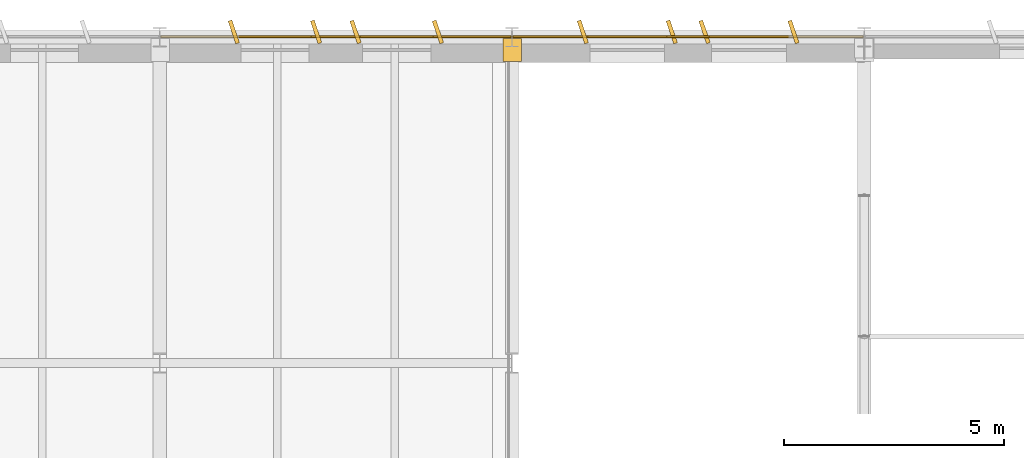
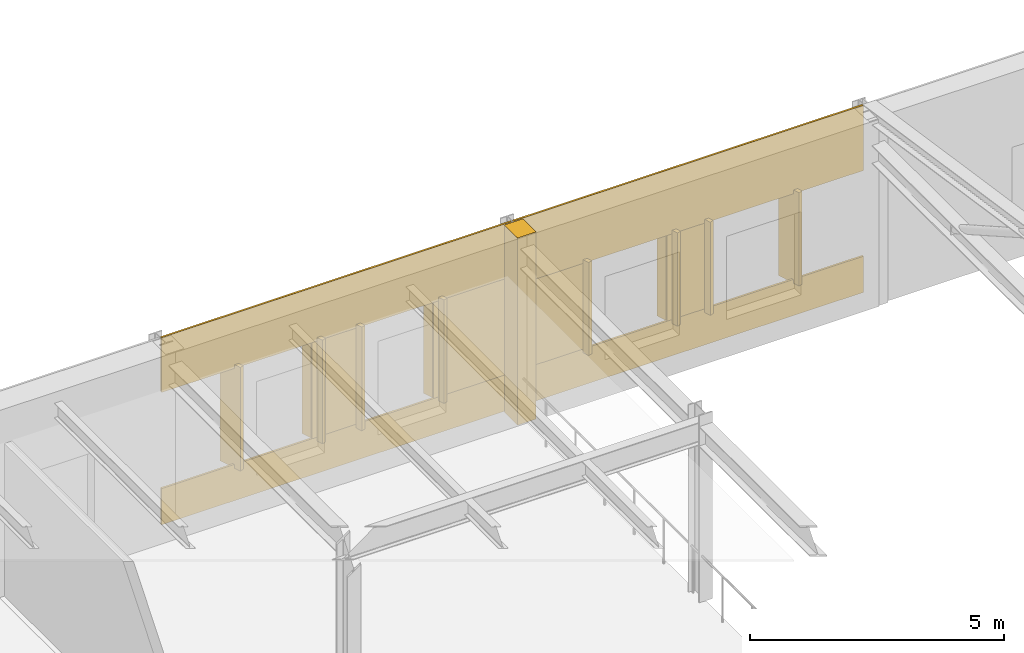
# One storey, part 70 of 75: 17 coverings.
"""IFC4 building model written with IfcOpenShell, lengths in metres."""

import ifcopenshell
import ifcopenshell.guid

model = None  # the IFC model being written
_history = None  # IfcOwnerHistory: only IFC2X3 demands one
_inside = {}  # id of a spatial element -> (the spatial element, [elements in it])
_under = {}  # id of a project, library or spatial element -> (it, [spatial elements below it])
_declared = {}  # id of a project -> (the project, [libraries it declares])
_typed = {}  # id of a type object -> (the type object, [elements of that type])
_made_of = {}  # id of a material, layer set ... -> (it, [elements and type objects made of it])


def new_model(schema):
    """Start an empty IFC model of exactly this schema.

    Asked for "IFC4X3", IfcOpenShell would pick the latest addendum, in which some entities
    have other attributes; the version numbers below select the first issue.
    IFC2X3 requires an IfcOwnerHistory on every rooted entity: one is made here for all.
    """
    global model, _history
    if schema == "IFC4X3":
        model = ifcopenshell.file(schema_version=(4, 3, 0, 0))
    else:
        model = ifcopenshell.file(schema=schema)
    _inside.clear()
    _under.clear()
    _declared.clear()
    _typed.clear()
    _made_of.clear()
    _history = None
    if model.schema == "IFC2X3":
        org = make("IfcOrganization", Name="unknown")
        user = make(
            "IfcPersonAndOrganization",
            ThePerson=make("IfcPerson", FamilyName="unknown"),
            TheOrganization=org,
        )
        app = make(
            "IfcApplication",
            ApplicationDeveloper=org,
            Version="unknown",
            ApplicationFullName="unknown",
            ApplicationIdentifier="unknown",
        )
        _history = make(
            "IfcOwnerHistory",
            OwningUser=user,
            OwningApplication=app,
            ChangeAction="ADDED",
            CreationDate=0,
        )
    return model


def make(cls, **values):
    """One entity of the class cls with the attributes given. An attribute that is None is left unset."""
    return model.create_entity(
        cls, **{name: value for name, value in values.items() if value is not None}
    )


def rooted(cls, **values):
    """An entity with a GlobalId (a new one), such as an element, a storey or a relation."""
    return make(cls, GlobalId=ifcopenshell.guid.new(), OwnerHistory=_history, **values)


def si_unit(unit_type, name, prefix=None):
    """IfcSIUnit, for example si_unit("LENGTHUNIT", "METRE", prefix="MILLI")."""
    return make("IfcSIUnit", UnitType=unit_type, Prefix=prefix, Name=name)


def assignment(units):
    """IfcUnitAssignment: the units of a project."""
    return None if units is None else make("IfcUnitAssignment", Units=units)


def point(xyz):
    """IfcCartesianPoint."""
    return None if xyz is None else make("IfcCartesianPoint", Coordinates=xyz)


def direction(xyz):
    """IfcDirection."""
    return None if xyz is None else make("IfcDirection", DirectionRatios=xyz)


def frame(location, z_axis=None, x_axis=None):
    """IfcAxis2Placement3D, a coordinate frame: its origin and axes. An axis left out is left unset."""
    return make(
        "IfcAxis2Placement3D",
        Location=point(location),
        Axis=direction(z_axis),
        RefDirection=direction(x_axis),
    )


def frame_2d(location, x_axis=None):
    """IfcAxis2Placement2D, a coordinate frame in the plane: its origin and x axis."""
    return make(
        "IfcAxis2Placement2D", Location=point(location), RefDirection=direction(x_axis)
    )


def origin():
    """The frame at (0, 0, 0) with its axes left unset."""
    return frame((0.0, 0.0, 0.0))


def origin_2d():
    """The frame at (0, 0) in the plane with its x axis left unset."""
    return frame_2d((0.0, 0.0))


def place(relative_to, where):
    """IfcLocalPlacement: puts the frame where relative to a parent placement (None: the world)."""
    return make(
        "IfcLocalPlacement", PlacementRelTo=relative_to, RelativePlacement=where
    )


def context(
    kind, dimensions, precision=None, world=None, true_north=None, identifier=None
):
    """IfcGeometricRepresentationContext, for example the 3D "Model" context."""
    return make(
        "IfcGeometricRepresentationContext",
        ContextIdentifier=identifier,
        ContextType=kind,
        CoordinateSpaceDimension=dimensions,
        Precision=precision,
        WorldCoordinateSystem=world,
        TrueNorth=true_north,
    )


def subcontext(parent, identifier, kind, view, scale=None):
    """IfcGeometricRepresentationSubContext, for example "Body" below "Model"."""
    return make(
        "IfcGeometricRepresentationSubContext",
        ContextIdentifier=identifier,
        ContextType=kind,
        ParentContext=parent,
        TargetScale=scale,
        TargetView=view,
    )


def project(units=None, contexts=None):
    """IfcProject with its units and contexts."""
    return rooted(
        "IfcProject",
        Name="project",
        RepresentationContexts=contexts,
        UnitsInContext=assignment(units),
    )


def spatial(cls, under=None, at=None, **own):
    """A site, building, storey or space (cls), placed at a placement, below another one or the project."""
    s = rooted(cls, ObjectPlacement=at, **own)
    if under is not None:
        _under.setdefault(under.id(), (under, []))[1].append(s)
    return s


def profile(cls, at=None, kind="AREA", **sizes):
    """A parametric profile (cls). Its sizes go by their IFC names, for example OverallWidth=200.0."""
    return make(cls, ProfileType=kind, Position=at, **sizes)


def rectangle(**sizes):
    """IfcRectangleProfileDef."""
    return profile("IfcRectangleProfileDef", **sizes)


def extrude(swept, where, along, depth):
    """IfcExtrudedAreaSolid: the profile swept, set in the frame where, extruded along a direction by depth."""
    return make(
        "IfcExtrudedAreaSolid",
        SweptArea=swept,
        Position=where,
        ExtrudedDirection=direction(along),
        Depth=depth,
    )


def shape(context_of_items, identifier, shape_type, items):
    """IfcShapeRepresentation: the items that make up one representation, for example the "Body"."""
    return make(
        "IfcShapeRepresentation",
        ContextOfItems=context_of_items,
        RepresentationIdentifier=identifier,
        RepresentationType=shape_type,
        Items=items,
    )


def material(Name=None, Category=None):
    """IfcMaterial."""
    return make("IfcMaterial", Name=Name, Category=Category)


def layer(
    of_material, thickness, ventilated=None, Name=None, Category=None, Priority=None
):
    """IfcMaterialLayer: one layer of a wall or slab, of a material (None: an air gap)."""
    return make(
        "IfcMaterialLayer",
        Material=of_material,
        LayerThickness=thickness,
        IsVentilated=ventilated,
        Name=Name,
        Category=Category,
        Priority=Priority,
    )


def layer_set(layers, Name=None):
    """IfcMaterialLayerSet."""
    return make("IfcMaterialLayerSet", MaterialLayers=layers, LayerSetName=Name)


def made_of(thing, what):
    """Note that an element or type object is made of a material, layer set ...; save() writes the relation."""
    if what is not None:
        _made_of.setdefault(what.id(), (what, []))[1].append(thing)
    return thing


def type_object(cls, material=None, **own):
    """A type object (cls), such as IfcWallType, which elements share."""
    return made_of(rooted(cls, **own), material)


def element(
    cls,
    number,
    at=None,
    inside=None,
    cuts=None,
    type_object=None,
    material=None,
    context=None,
    identifier="Body",
    shape_type=None,
    held_by="IfcProductDefinitionShape",
    body=None,
    shapes=None,
    **own,
):
    """One element of the class cls, such as IfcWall. Its Tag is "e" and its number.

    at: its placement. inside: the storey or other place that contains it. cuts: it is an
    opening in that element (IfcRelVoidsElement). A single representation is given by context,
    identifier, shape_type and body (its items); several are given by shapes. held_by: the class
    of the entity that holds the representations. save() writes the other relations.
    """
    e = rooted(cls, Tag="e%d" % number, ObjectPlacement=at, **own)
    if body is not None:
        shapes = [shape(context, identifier, shape_type, body)]
    if shapes is not None:
        e.Representation = make(held_by, Representations=shapes)
    if inside is not None:
        _inside.setdefault(inside.id(), (inside, []))[1].append(e)
    if cuts is not None:
        rooted(
            "IfcRelVoidsElement", RelatingBuildingElement=cuts, RelatedOpeningElement=e
        )
    if type_object is not None:
        _typed.setdefault(type_object.id(), (type_object, []))[1].append(e)
    return made_of(e, material)


def aggregate(whole, parts):
    """IfcRelAggregates: a whole, such as a stair, and the parts it consists of."""
    return rooted("IfcRelAggregates", RelatingObject=whole, RelatedObjects=parts)


def save(model, path):
    """Write the relations noted so far, then the file.

    IfcRelAggregates (storeys below a building ...), IfcRelContainedInSpatialStructure (elements
    in a storey), IfcRelDefinesByType, IfcRelAssociatesMaterial and IfcRelDeclares: one each for
    every whole, place, type object, material and project.
    """
    for whole, parts in _under.values():
        aggregate(whole, parts)
    for where, things in _inside.values():
        rooted(
            "IfcRelContainedInSpatialStructure",
            RelatedElements=things,
            RelatingStructure=where,
        )
    for kind, things in _typed.values():
        rooted("IfcRelDefinesByType", RelatedObjects=things, RelatingType=kind)
    for what, things in _made_of.values():
        rooted("IfcRelAssociatesMaterial", RelatedObjects=things, RelatingMaterial=what)
    for by, libraries in _declared.values():
        rooted("IfcRelDeclares", RelatingContext=by, RelatedDefinitions=libraries)
    model.write(path)


model = new_model("IFC4")

# Units and contexts
model_context = context("Model", 3, precision=1e-05, world=origin(), true_north=direction((0.0, 1.0)))
body_context = subcontext(model_context, "Body", "Model", "MODEL_VIEW")
ifc_project = project(units=[si_unit("LENGTHUNIT", "METRE"), si_unit("AREAUNIT", "SQUARE_METRE"), si_unit("VOLUMEUNIT", "CUBIC_METRE"), si_unit("PLANEANGLEUNIT", "RADIAN"), si_unit("MASSUNIT", "GRAM", prefix="KILO")], contexts=[model_context])

# Site, building, storey
site_placement = place(None, origin())
site = spatial("IfcSite", under=ifc_project, at=site_placement, CompositionType="ELEMENT")
building_placement = place(site_placement, origin())
building = spatial("IfcBuilding", under=site, at=building_placement, Name="Valkorina Park Police Headquarters", CompositionType="ELEMENT")
storey_placement = place(building_placement, frame((0.0, 0.0, 5.39990234375)))
storey = spatial("IfcBuildingStorey", under=building, at=storey_placement, Name="L02", CompositionType="ELEMENT", Elevation=5.39990234375)

# Coverings
ifc_material = material(Name="Precast concrete C40/50", Category="concrete")
ifc_layer = layer(ifc_material, 0.044921875)
ifc_layer_set = layer_set([ifc_layer], Name="Precast concrete C40/50")
covering_type = type_object("IfcCoveringType", Name="COV-CLAD-DOLOMITE", PredefinedType="CLADDING", material=ifc_layer_set)
covering_1_placement = place(storey_placement, frame((120.81005859375, 110.7099609375, 0.0), z_axis=(0.0, 0.0, 1.0), x_axis=(1.0, 0.0, 0.0)))
element("IfcCovering", 1, at=covering_1_placement, inside=storey, type_object=covering_type, Name="L02 Exterior Joint Closure Pilaster B 1356", PredefinedType="CLADDING", context=body_context, shape_type="SweptSolid", body=[
    extrude(rectangle(XDim=0.419921875, YDim=0.52197265625, at=origin_2d()), origin(), (0.0, 0.0, 1.0), 4.5),
])
for number, where, z_axis, x_axis, name in (
    (2, (114.482666015625, 111.1201171875, 0.7802734375), (0.0, 0.0, 1.0), (-0.317304656405, 0.948323655206, 0.0), "Slanted 18.5-deg Precast Window Slot Fin 1357"),
    (3, (116.3525390625, 111.1201171875, 0.7802734375), (0.0, 0.0, 1.0), (-0.317304656405, 0.948323655206, 0.0), "Slanted 18.5-deg Precast Window Slot Fin 1358"),
    (4, (117.247314453125, 111.1201171875, 0.7802734375), (0.0, 0.0, 1.0), (-0.317304656405, 0.948323655206, 0.0), "Slanted 18.5-deg Precast Window Slot Fin 1359"),
    (5, (119.117431640625, 111.1201171875, 0.7802734375), (0.0, 0.0, 1.0), (-0.317304656405, 0.948323655206, 0.0), "Slanted 18.5-deg Precast Window Slot Fin 1360"),
):
    element("IfcCovering", number, at=place(storey_placement, frame(where, z_axis=z_axis, x_axis=x_axis)), inside=storey, type_object=covering_type, Name=name, PredefinedType="CLADDING", context=body_context, shape_type="SweptSolid", body=[
        extrude(rectangle(XDim=0.5400390625, YDim=0.090087890625, at=origin_2d()), origin(), (0.0, 0.0, 1.0), 2.489990234375),
    ])
covering_2_placement = place(storey_placement, frame((112.820068359375, 111.014892578125, 0.0), z_axis=(0.0, 0.0, 1.0), x_axis=(1.0, 0.0, 0.0)))
element("IfcCovering", 6, at=covering_2_placement, inside=storey, type_object=covering_type, Name="L02 Calm Concrete Base Sill Spandrel 1361", PredefinedType="CLADDING", context=body_context, shape_type="SweptSolid", body=[
    extrude(rectangle(XDim=7.9599609375, YDim=0.044921875, at=frame_2d((3.97998046875, 0.0))), origin(), (0.0, 0.0, 1.0), 0.8701171875),
])
covering_3_placement = place(storey_placement, frame((112.820068359375, 111.014892578125, 3.18017578125), z_axis=(0.0, 0.0, 1.0), x_axis=(1.0, 0.0, 0.0)))
element("IfcCovering", 7, at=covering_3_placement, inside=storey, type_object=covering_type, Name="L02 Calm Concrete Base Lintel Spandrel 1362", PredefinedType="CLADDING", context=body_context, shape_type="SweptSolid", body=[
    extrude(rectangle(XDim=7.9599609375, YDim=0.044921875, at=frame_2d((3.97998046875, 0.0))), origin(), (0.0, 0.0, 1.0), 1.31982421875),
])
covering_4_placement = place(storey_placement, frame((116.24267578125, 111.014892578125, 0.8701171875), z_axis=(0.0, 0.0, 1.0), x_axis=(1.0, 0.0, 0.0)))
element("IfcCovering", 8, at=covering_4_placement, inside=storey, type_object=covering_type, Name="L02 Calm Concrete Base Slot Pier 1364", PredefinedType="CLADDING", context=body_context, shape_type="SweptSolid", body=[
    extrude(rectangle(XDim=1.11474609375, YDim=0.044921875, at=frame_2d((0.557373046875, 0.0))), origin(), (0.0, 0.0, 1.0), 2.31005859375),
])
covering_5_placement = place(storey_placement, frame((119.00732421875, 111.014892578125, 0.8701171875), z_axis=(0.0, 0.0, 1.0), x_axis=(1.0, 0.0, 0.0)))
element("IfcCovering", 9, at=covering_5_placement, inside=storey, type_object=covering_type, Name="L02 Calm Concrete Base Slot Pier 1365", PredefinedType="CLADDING", context=body_context, shape_type="SweptSolid", body=[
    extrude(rectangle(XDim=1.772705078125, YDim=0.044921875, at=frame_2d((0.88623046875, 0.0))), origin(), (0.0, 0.0, 1.0), 2.31005859375),
])
for number, where, z_axis, x_axis, name in (
    (10, (122.40771484375, 111.1201171875, 0.7802734375), (0.0, 0.0, 1.0), (-0.317304656405, 0.948323655206, 0.0), "Slanted 18.5-deg Precast Window Slot Fin 1367"),
    (11, (124.427490234375, 111.1201171875, 0.7802734375), (0.0, 0.0, 1.0), (-0.317304656405, 0.948323655206, 0.0), "Slanted 18.5-deg Precast Window Slot Fin 1368"),
    (12, (125.17236328125, 111.1201171875, 0.7802734375), (0.0, 0.0, 1.0), (-0.317304656405, 0.948323655206, 0.0), "Slanted 18.5-deg Precast Window Slot Fin 1369"),
    (13, (127.1923828125, 111.1201171875, 0.7802734375), (0.0, 0.0, 1.0), (-0.317304656405, 0.948323655206, 0.0), "Slanted 18.5-deg Precast Window Slot Fin 1370"),
):
    element("IfcCovering", number, at=place(storey_placement, frame(where, z_axis=z_axis, x_axis=x_axis)), inside=storey, type_object=covering_type, Name=name, PredefinedType="CLADDING", context=body_context, shape_type="SweptSolid", body=[
        extrude(rectangle(XDim=0.5400390625, YDim=0.090087890625, at=origin_2d()), origin(), (0.0, 0.0, 1.0), 2.239990234375),
    ])
covering_6_placement = place(storey_placement, frame((120.820068359375, 111.014892578125, 0.0), z_axis=(0.0, 0.0, 1.0), x_axis=(1.0, 0.0, 0.0)))
element("IfcCovering", 14, at=covering_6_placement, inside=storey, type_object=covering_type, Name="L02 Calm Concrete Base Sill Spandrel 1371", PredefinedType="CLADDING", context=body_context, shape_type="SweptSolid", body=[
    extrude(rectangle(XDim=7.9599609375, YDim=0.044921875, at=frame_2d((3.97998046875, 0.0))), origin(), (0.0, 0.0, 1.0), 0.8701171875),
])
covering_7_placement = place(storey_placement, frame((120.820068359375, 111.014892578125, 2.93017578125), z_axis=(0.0, 0.0, 1.0), x_axis=(1.0, 0.0, 0.0)))
element("IfcCovering", 15, at=covering_7_placement, inside=storey, type_object=covering_type, Name="L02 Calm Concrete Base Lintel Spandrel 1372", PredefinedType="CLADDING", context=body_context, shape_type="SweptSolid", body=[
    extrude(rectangle(XDim=7.9599609375, YDim=0.044921875, at=frame_2d((3.97998046875, 0.0))), origin(), (0.0, 0.0, 1.0), 1.56982421875),
])
covering_8_placement = place(storey_placement, frame((120.820068359375, 111.014892578125, 0.8701171875), z_axis=(0.0, 0.0, 1.0), x_axis=(1.0, 0.0, 0.0)))
element("IfcCovering", 16, at=covering_8_placement, inside=storey, type_object=covering_type, Name="L02 Calm Concrete Base Slot Pier 1373", PredefinedType="CLADDING", context=body_context, shape_type="SweptSolid", body=[
    extrude(rectangle(XDim=1.697509765625, YDim=0.044921875, at=frame_2d((0.8486328125, 0.0))), origin(), (0.0, 0.0, 1.0), 2.06005859375),
])
covering_9_placement = place(storey_placement, frame((124.317626953125, 111.014892578125, 0.8701171875), z_axis=(0.0, 0.0, 1.0), x_axis=(1.0, 0.0, 0.0)))
element("IfcCovering", 17, at=covering_9_placement, inside=storey, type_object=covering_type, Name="L02 Calm Concrete Base Slot Pier 1374", PredefinedType="CLADDING", context=body_context, shape_type="SweptSolid", body=[
    extrude(rectangle(XDim=0.96484375, YDim=0.044921875, at=frame_2d((0.482421875, 0.0))), origin(), (0.0, 0.0, 1.0), 2.06005859375),
])

save(model, "model.ifc")
